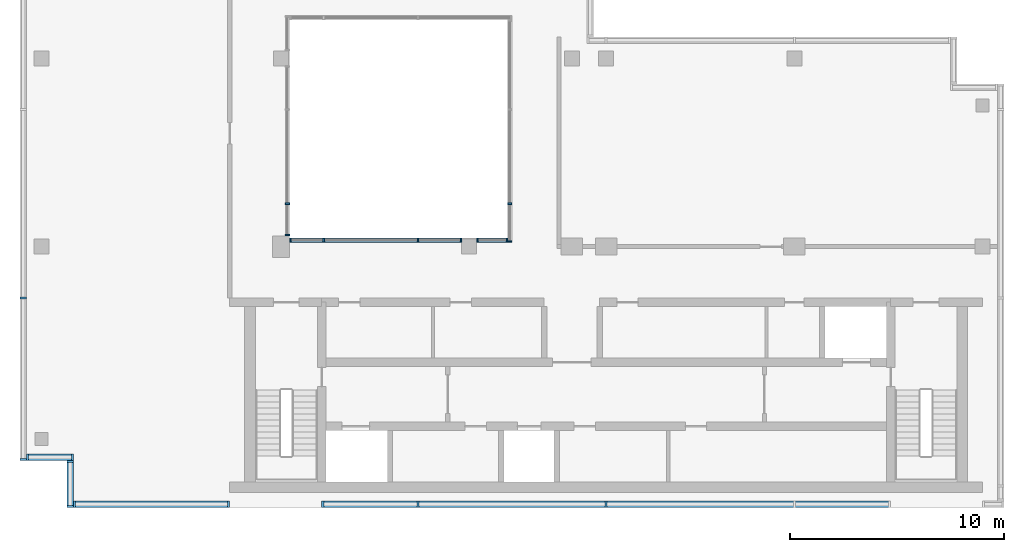
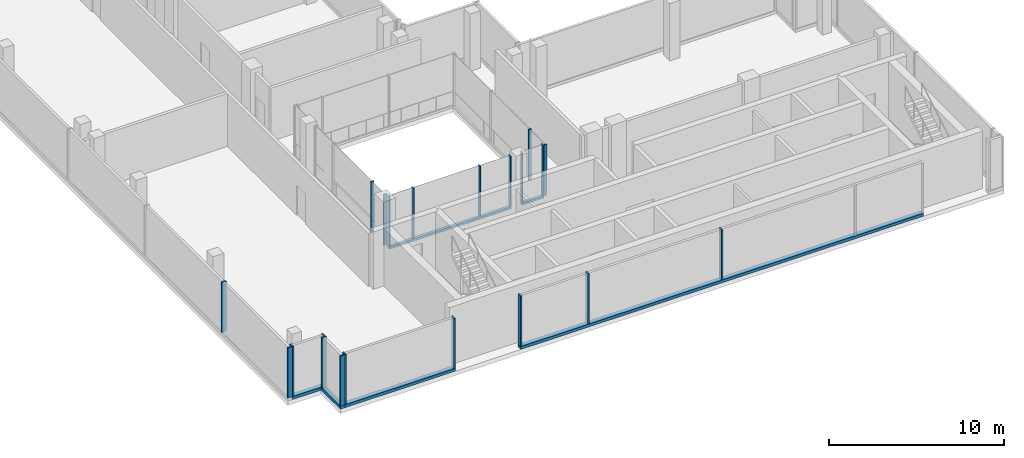
# One storey, part 2 of 10: 27 members, 9 elements without a shape of their own.
"""IFC4 building model written with IfcOpenShell, lengths in metres."""

from ifc_helpers import new_model, si_unit, direction, frame, origin, origin_2d, place, context, subcontext, project, spatial, rectangle, extrude, source, transform, mapped, material, material_profile, profile_set, type_object, element, aggregate, save


model = new_model("IFC4")

# Units and contexts
model_context = context("Model", 3, precision=1e-05, world=origin(), true_north=direction((0.0, 1.0)))
body_context = subcontext(model_context, "Body", "Model", "MODEL_VIEW")
ifc_project = project(units=[si_unit("LENGTHUNIT", "METRE"), si_unit("AREAUNIT", "SQUARE_METRE"), si_unit("VOLUMEUNIT", "CUBIC_METRE"), si_unit("PLANEANGLEUNIT", "RADIAN"), si_unit("MASSUNIT", "GRAM", prefix="KILO")], contexts=[model_context])

# Site, building, storey
site_placement = place(None, origin())
site = spatial("IfcSite", under=ifc_project, at=site_placement, CompositionType="ELEMENT")
building_placement = place(site_placement, origin())
building = spatial("IfcBuilding", under=site, at=building_placement, Name="Kemantara Hotel Tower", CompositionType="ELEMENT")
storey_placement = place(building_placement, frame((0.0, 0.0, 314.199951171875)))
storey = spatial("IfcBuildingStorey", under=building, at=storey_placement, Name="L79", CompositionType="ELEMENT", Elevation=314.199951171875)

# Curtain wall, member
ifc_material_1 = material(Name="Clear low-iron laminated glass 36 mm", Category="glass")
curtain_wall_type_1 = type_object("IfcCurtainWallType", Name="ATRIUM GLAZING WALL", PredefinedType="USERDEFINED", material=ifc_material_1)
curtain_wall_1_placement = place(storey_placement, origin())
curtain_wall_1 = element("IfcCurtainWall", 1, at=curtain_wall_1_placement, inside=storey, type_object=curtain_wall_type_1, Name="CW5 L79 ATR-R2-1", ObjectType="ATRIUM GLAZING WALL", PredefinedType="USERDEFINED")
ifc_material_2 = material(Name="Aluminium 6063-T6 bronze anodised", Category="aluminium")
ifc_material_profile_1 = material_profile(ifc_material_2, rectangle(XDim=0.199951171875, YDim=0.14990234375, at=origin_2d()), Name="ATRIUM GLAZING WALL TRANSOM")
ifc_profile_set_1 = profile_set([ifc_material_profile_1], Name="Aluminium 6063-T6 bronze anodised")
member_type_1 = type_object("IfcMemberType", Name="ATRIUM GLAZING WALL TRANSOM", PredefinedType="USERDEFINED", material=ifc_profile_set_1)
member_1_placement = place(storey_placement, frame((22.800048828125, 12.5, 0.074951171875), z_axis=(-1.0, 0.0, 0.0), x_axis=(0.0, -1.0, 0.0)))
member_1 = element("IfcMember", 2, at=member_1_placement, type_object=member_type_1, Name="CW5 sill transom ATR-R2-1", ObjectType="TRANSOM", PredefinedType="USERDEFINED", context=body_context, shape_type="SweptSolid", body=[
    extrude(rectangle(XDim=0.199951171875, YDim=0.14990234375, at=origin_2d()), origin(), (0.0, 0.0, 1.0), 1.449951171875),
])

curtain_wall_2_placement = place(storey_placement, origin())
curtain_wall_2 = element("IfcCurtainWall", 3, at=curtain_wall_2_placement, inside=storey, type_object=curtain_wall_type_1, Name="CW5 L79 ATR-R2-2", ObjectType="ATRIUM GLAZING WALL", PredefinedType="USERDEFINED")
member_2_placement = place(storey_placement, frame((20.64990234375, 12.5, 0.074951171875), z_axis=(-1.0, 0.0, 0.0), x_axis=(0.0, -1.0, 0.0)))
member_2 = element("IfcMember", 4, at=member_2_placement, type_object=member_type_1, Name="CW5 sill transom ATR-R2-2", ObjectType="TRANSOM", PredefinedType="USERDEFINED", context=body_context, shape_type="SweptSolid", body=[
    extrude(rectangle(XDim=0.199951171875, YDim=0.14990234375, at=origin_2d()), origin(), (0.0, 0.0, 1.0), 8.0498046875),
])

curtain_wall_type_2 = type_object("IfcCurtainWallType", Name="CROWN LOUVRE SCREEN WALL", PredefinedType="USERDEFINED", material=ifc_material_2)
curtain_wall_3_placement = place(storey_placement, origin())
curtain_wall_3 = element("IfcCurtainWall", 5, at=curtain_wall_3_placement, inside=storey, type_object=curtain_wall_type_2, Name="CW7 L79 CRN-R08-1", ObjectType="CROWN LOUVRE SCREEN WALL", PredefinedType="USERDEFINED")
ifc_material_profile_2 = material_profile(ifc_material_2, rectangle(XDim=0.300048828125, YDim=0.199951171875, at=origin_2d()), Name="CROWN LOUVRE SCREEN WALL TRANSOM")
ifc_profile_set_2 = profile_set([ifc_material_profile_2], Name="Aluminium 6063-T6 bronze anodised")
member_type_2 = type_object("IfcMemberType", Name="CROWN LOUVRE SCREEN WALL TRANSOM", PredefinedType="USERDEFINED", material=ifc_profile_set_2)
member_3_placement = place(storey_placement, frame((2.5, 0.14990234375, 0.10009765625), z_axis=(1.0, 0.0, 0.0), x_axis=(0.0, 1.0, 0.0)))
member_3 = element("IfcMember", 6, at=member_3_placement, type_object=member_type_2, Name="CW7 sill transom CRN-R08-1", ObjectType="TRANSOM", PredefinedType="USERDEFINED", context=body_context, shape_type="SweptSolid", body=[
    extrude(rectangle(XDim=0.300048828125, YDim=0.199951171875, at=origin_2d()), origin(), (0.0, 0.0, 1.0), 7.300048828125),
])

curtain_wall_4_placement = place(storey_placement, origin())
curtain_wall_4 = element("IfcCurtainWall", 7, at=curtain_wall_4_placement, inside=storey, type_object=curtain_wall_type_2, Name="CW7 L79 CRN-R08-2", ObjectType="CROWN LOUVRE SCREEN WALL", PredefinedType="USERDEFINED")
member_4_placement = place(storey_placement, frame((14.10009765625, 0.14990234375, 0.10009765625), z_axis=(1.0, 0.0, 0.0), x_axis=(0.0, 1.0, 0.0)))
member_4 = element("IfcMember", 8, at=member_4_placement, type_object=member_type_2, Name="CW7 sill transom CRN-R08-2", ObjectType="TRANSOM", PredefinedType="USERDEFINED", context=body_context, shape_type="SweptSolid", body=[
    extrude(rectangle(XDim=0.300048828125, YDim=0.199951171875, at=origin_2d()), origin(), (0.0, 0.0, 1.0), 26.599853515625),
])

curtain_wall_5_placement = place(storey_placement, origin())
curtain_wall_5 = element("IfcCurtainWall", 9, at=curtain_wall_5_placement, inside=storey, type_object=curtain_wall_type_2, Name="CW7 L79 CRN-R06-1", ObjectType="CROWN LOUVRE SCREEN WALL", PredefinedType="USERDEFINED")
member_5_placement = place(storey_placement, frame((0.300048828125, 2.35009765625, 0.10009765625), z_axis=(1.0, 0.0, 0.0), x_axis=(0.0, 1.0, 0.0)))
member_5 = element("IfcMember", 10, at=member_5_placement, type_object=member_type_2, Name="CW7 sill transom CRN-R06-1", ObjectType="TRANSOM", PredefinedType="USERDEFINED", context=body_context, shape_type="SweptSolid", body=[
    extrude(rectangle(XDim=0.300048828125, YDim=0.199951171875, at=origin_2d()), origin(), (0.0, 0.0, 1.0), 2.199951171875),
])

curtain_wall_6_placement = place(storey_placement, origin())
curtain_wall_6 = element("IfcCurtainWall", 11, at=curtain_wall_6_placement, inside=storey, type_object=curtain_wall_type_2, Name="CW7 L79 CRN-R07-1", ObjectType="CROWN LOUVRE SCREEN WALL", PredefinedType="USERDEFINED")
member_6_placement = place(storey_placement, frame((2.35009765625, 2.199951171875, 0.10009765625), z_axis=(0.0, -1.0, 0.0), x_axis=(1.0, 0.0, 0.0)))
member_6 = element("IfcMember", 12, at=member_6_placement, type_object=member_type_2, Name="CW7 sill transom CRN-R07-1", ObjectType="TRANSOM", PredefinedType="USERDEFINED", context=body_context, shape_type="SweptSolid", body=[
    extrude(rectangle(XDim=0.300048828125, YDim=0.199951171875, at=origin_2d()), origin(), (0.0, 0.0, 1.0), 2.199951171875),
])

# Curtain wall, members
curtain_wall_7_placement = place(storey_placement, origin())
curtain_wall_7 = element("IfcCurtainWall", 13, at=curtain_wall_7_placement, inside=storey, type_object=curtain_wall_type_2, Name="CW7 L79 CRN-R05-1", ObjectType="CROWN LOUVRE SCREEN WALL", PredefinedType="USERDEFINED")
ifc_material_profile_3 = material_profile(ifc_material_2, rectangle(XDim=0.300048828125, YDim=0.10009765625, at=origin_2d()), Name="CROWN LOUVRE SCREEN WALL MULLION")
ifc_profile_set_3 = profile_set([ifc_material_profile_3], Name="Aluminium 6063-T6 bronze anodised")
member_type_3 = type_object("IfcMemberType", Name="CROWN LOUVRE SCREEN WALL MULLION", PredefinedType="MULLION", material=ifc_profile_set_3)
shared_shape_1 = source(origin(), body_context, "Body", "SweptSolid", [
    extrude(rectangle(XDim=0.300048828125, YDim=0.10009765625, at=origin_2d()), origin(), (0.0, 0.0, 1.0), 3.5),
])
member_7_placement = place(storey_placement, frame((0.14990234375, 9.800048828125, 0.199951171875), z_axis=(0.0, 0.0, 1.0), x_axis=(1.0, 0.0, 0.0)))
member_7 = element("IfcMember", 14, at=member_7_placement, type_object=member_type_3, Name="CW7 mullion CRN-R05-1.7", PredefinedType="MULLION", context=body_context, shape_type="MappedRepresentation", body=[
    mapped(shared_shape_1, transform((0.0, 0.0, 0.0))),
])
member_8_placement = place(storey_placement, frame((0.14990234375, 2.25, 0.199951171875), z_axis=(0.0, 0.0, 1.0), x_axis=(1.0, 0.0, 0.0)))
member_8 = element("IfcMember", 15, at=member_8_placement, type_object=member_type_3, Name="CW7 mullion CRN-R05-1.8", PredefinedType="MULLION", context=body_context, shape_type="MappedRepresentation", body=[
    mapped(shared_shape_1, transform((0.0, 0.0, 0.0))),
])
aggregate(curtain_wall_7, [member_7, member_8])

# Member
member_9_placement = place(storey_placement, frame((2.550048828125, 0.14990234375, 0.199951171875), z_axis=(0.0, 0.0, 1.0), x_axis=(0.0, 1.0, 0.0)))
member_9 = element("IfcMember", 16, at=member_9_placement, type_object=member_type_3, Name="CW7 mullion CRN-R08-1.1", PredefinedType="MULLION", context=body_context, shape_type="MappedRepresentation", body=[
    mapped(shared_shape_1, transform((0.0, 0.0, 0.0))),
])

member_10_placement = place(storey_placement, frame((9.75, 0.14990234375, 0.199951171875), z_axis=(0.0, 0.0, 1.0), x_axis=(0.0, 1.0, 0.0)))
member_10 = element("IfcMember", 17, at=member_10_placement, type_object=member_type_3, Name="CW7 mullion CRN-R08-1.2", PredefinedType="MULLION", context=body_context, shape_type="MappedRepresentation", body=[
    mapped(shared_shape_1, transform((0.0, 0.0, 0.0))),
])

aggregate(curtain_wall_3, [member_3, member_9, member_10])

member_11_placement = place(storey_placement, frame((14.14990234375, 0.14990234375, 0.199951171875), z_axis=(0.0, 0.0, 1.0), x_axis=(0.0, 1.0, 0.0)))
member_11 = element("IfcMember", 18, at=member_11_placement, type_object=member_type_3, Name="CW7 mullion CRN-R08-2.1", PredefinedType="MULLION", context=body_context, shape_type="MappedRepresentation", body=[
    mapped(shared_shape_1, transform((0.0, 0.0, 0.0))),
])

member_12_placement = place(storey_placement, frame((18.60009765625, 0.14990234375, 0.199951171875), z_axis=(0.0, 0.0, 1.0), x_axis=(0.0, 1.0, 0.0)))
member_12 = element("IfcMember", 19, at=member_12_placement, type_object=member_type_3, Name="CW7 mullion CRN-R08-2.2", PredefinedType="MULLION", context=body_context, shape_type="MappedRepresentation", body=[
    mapped(shared_shape_1, transform((0.0, 0.0, 0.0))),
])

member_13_placement = place(storey_placement, frame((27.39990234375, 0.14990234375, 0.199951171875), z_axis=(0.0, 0.0, 1.0), x_axis=(0.0, 1.0, 0.0)))
member_13 = element("IfcMember", 20, at=member_13_placement, type_object=member_type_3, Name="CW7 mullion CRN-R08-2.3", PredefinedType="MULLION", context=body_context, shape_type="MappedRepresentation", body=[
    mapped(shared_shape_1, transform((0.0, 0.0, 0.0))),
])

aggregate(curtain_wall_4, [member_4, member_11, member_12, member_13])

member_14_placement = place(storey_placement, frame((0.35009765625, 2.35009765625, 0.199951171875), z_axis=(0.0, 0.0, 1.0), x_axis=(0.0, 1.0, 0.0)))
member_14 = element("IfcMember", 21, at=member_14_placement, type_object=member_type_3, Name="CW7 mullion CRN-R06-1.1", PredefinedType="MULLION", context=body_context, shape_type="MappedRepresentation", body=[
    mapped(shared_shape_1, transform((0.0, 0.0, 0.0))),
])

member_15_placement = place(storey_placement, frame((2.449951171875, 2.35009765625, 0.199951171875), z_axis=(0.0, 0.0, 1.0), x_axis=(0.0, 1.0, 0.0)))
member_15 = element("IfcMember", 22, at=member_15_placement, type_object=member_type_3, Name="CW7 mullion CRN-R06-1.2", PredefinedType="MULLION", context=body_context, shape_type="MappedRepresentation", body=[
    mapped(shared_shape_1, transform((0.0, 0.0, 0.0))),
])

aggregate(curtain_wall_5, [member_5, member_14, member_15])

member_16_placement = place(storey_placement, frame((2.35009765625, 2.14990234375, 0.199951171875), z_axis=(0.0, 0.0, 1.0), x_axis=(1.0, 0.0, 0.0)))
member_16 = element("IfcMember", 23, at=member_16_placement, type_object=member_type_3, Name="CW7 mullion CRN-R07-1.1", PredefinedType="MULLION", context=body_context, shape_type="MappedRepresentation", body=[
    mapped(shared_shape_1, transform((0.0, 0.0, 0.0))),
])

member_17_placement = place(storey_placement, frame((2.35009765625, 0.050048828125, 0.199951171875), z_axis=(0.0, 0.0, 1.0), x_axis=(1.0, 0.0, 0.0)))
member_17 = element("IfcMember", 24, at=member_17_placement, type_object=member_type_3, Name="CW7 mullion CRN-R07-1.2", PredefinedType="MULLION", context=body_context, shape_type="MappedRepresentation", body=[
    mapped(shared_shape_1, transform((0.0, 0.0, 0.0))),
])

aggregate(curtain_wall_6, [member_6, member_16, member_17])

# Curtain wall, members
curtain_wall_8_placement = place(storey_placement, origin())
curtain_wall_8 = element("IfcCurtainWall", 25, at=curtain_wall_8_placement, inside=storey, type_object=curtain_wall_type_1, Name="CW5 L79 ATR-R1-1", ObjectType="ATRIUM GLAZING WALL", PredefinedType="USERDEFINED")
ifc_material_profile_4 = material_profile(ifc_material_2, rectangle(XDim=0.199951171875, YDim=0.074951171875, at=origin_2d()), Name="ATRIUM GLAZING WALL MULLION")
ifc_profile_set_4 = profile_set([ifc_material_profile_4], Name="Aluminium 6063-T6 bronze anodised")
member_type_4 = type_object("IfcMemberType", Name="ATRIUM GLAZING WALL MULLION", PredefinedType="MULLION", material=ifc_profile_set_4)
shared_shape_2 = source(origin(), body_context, "Body", "SweptSolid", [
    extrude(rectangle(XDim=0.199951171875, YDim=0.074951171875, at=origin_2d()), origin(), (0.0, 0.0, 1.0), 3.5498046875),
])
member_18_placement = place(storey_placement, frame((22.89990234375, 14.199951171875, 0.150146484375), z_axis=(0.0, 0.0, 1.0), x_axis=(1.0, 0.0, 0.0)))
member_18 = element("IfcMember", 26, at=member_18_placement, type_object=member_type_4, Name="CW5 mullion ATR-R1-1.3", PredefinedType="MULLION", context=body_context, shape_type="MappedRepresentation", body=[
    mapped(shared_shape_2, transform((0.0, 0.0, 0.0))),
])
member_19_placement = place(storey_placement, frame((22.89990234375, 12.4375, 0.150146484375), z_axis=(0.0, 0.0, 1.0), x_axis=(1.0, 0.0, 0.0)))
member_19 = element("IfcMember", 27, at=member_19_placement, type_object=member_type_4, Name="CW5 mullion ATR-R1-1.4", PredefinedType="MULLION", context=body_context, shape_type="MappedRepresentation", body=[
    mapped(shared_shape_2, transform((0.0, 0.0, 0.0))),
])
aggregate(curtain_wall_8, [member_18, member_19])

# Member
member_20_placement = place(storey_placement, frame((22.762451171875, 12.5, 0.150146484375), z_axis=(0.0, 0.0, 1.0), x_axis=(0.0, -1.0, 0.0)))
member_20 = element("IfcMember", 28, at=member_20_placement, type_object=member_type_4, Name="CW5 mullion ATR-R2-1.1", PredefinedType="MULLION", context=body_context, shape_type="MappedRepresentation", body=[
    mapped(shared_shape_2, transform((0.0, 0.0, 0.0))),
])

member_21_placement = place(storey_placement, frame((21.387451171875, 12.5, 0.150146484375), z_axis=(0.0, 0.0, 1.0), x_axis=(0.0, -1.0, 0.0)))
member_21 = element("IfcMember", 29, at=member_21_placement, type_object=member_type_4, Name="CW5 mullion ATR-R2-1.2", PredefinedType="MULLION", context=body_context, shape_type="MappedRepresentation", body=[
    mapped(shared_shape_2, transform((0.0, 0.0, 0.0))),
])

aggregate(curtain_wall_1, [member_1, member_20, member_21])

member_22_placement = place(storey_placement, frame((20.612548828125, 12.5, 0.150146484375), z_axis=(0.0, 0.0, 1.0), x_axis=(0.0, -1.0, 0.0)))
member_22 = element("IfcMember", 30, at=member_22_placement, type_object=member_type_4, Name="CW5 mullion ATR-R2-2.1", PredefinedType="MULLION", context=body_context, shape_type="MappedRepresentation", body=[
    mapped(shared_shape_2, transform((0.0, 0.0, 0.0))),
])

member_23_placement = place(storey_placement, frame((18.60009765625, 12.5, 0.150146484375), z_axis=(0.0, 0.0, 1.0), x_axis=(0.0, -1.0, 0.0)))
member_23 = element("IfcMember", 31, at=member_23_placement, type_object=member_type_4, Name="CW5 mullion ATR-R2-2.2", PredefinedType="MULLION", context=body_context, shape_type="MappedRepresentation", body=[
    mapped(shared_shape_2, transform((0.0, 0.0, 0.0))),
])

member_24_placement = place(storey_placement, frame((14.199951171875, 12.5, 0.150146484375), z_axis=(0.0, 0.0, 1.0), x_axis=(0.0, -1.0, 0.0)))
member_24 = element("IfcMember", 32, at=member_24_placement, type_object=member_type_4, Name="CW5 mullion ATR-R2-2.3", PredefinedType="MULLION", context=body_context, shape_type="MappedRepresentation", body=[
    mapped(shared_shape_2, transform((0.0, 0.0, 0.0))),
])

member_25_placement = place(storey_placement, frame((12.637451171875, 12.5, 0.150146484375), z_axis=(0.0, 0.0, 1.0), x_axis=(0.0, -1.0, 0.0)))
member_25 = element("IfcMember", 33, at=member_25_placement, type_object=member_type_4, Name="CW5 mullion ATR-R2-2.4", PredefinedType="MULLION", context=body_context, shape_type="MappedRepresentation", body=[
    mapped(shared_shape_2, transform((0.0, 0.0, 0.0))),
])

aggregate(curtain_wall_2, [member_2, member_22, member_23, member_24, member_25])

# Curtain wall, members
curtain_wall_9_placement = place(storey_placement, origin())
curtain_wall_9 = element("IfcCurtainWall", 34, at=curtain_wall_9_placement, inside=storey, type_object=curtain_wall_type_1, Name="CW5 L79 ATR-R3-1", ObjectType="ATRIUM GLAZING WALL", PredefinedType="USERDEFINED")
member_26_placement = place(storey_placement, frame((12.5, 12.737548828125, 0.150146484375), z_axis=(0.0, 0.0, 1.0), x_axis=(-1.0, 0.0, 0.0)))
member_26 = element("IfcMember", 35, at=member_26_placement, type_object=member_type_4, Name="CW5 mullion ATR-R3-1.1", PredefinedType="MULLION", context=body_context, shape_type="MappedRepresentation", body=[
    mapped(shared_shape_2, transform((0.0, 0.0, 0.0))),
])
member_27_placement = place(storey_placement, frame((12.5, 14.199951171875, 0.150146484375), z_axis=(0.0, 0.0, 1.0), x_axis=(-1.0, 0.0, 0.0)))
member_27 = element("IfcMember", 36, at=member_27_placement, type_object=member_type_4, Name="CW5 mullion ATR-R3-1.2", PredefinedType="MULLION", context=body_context, shape_type="MappedRepresentation", body=[
    mapped(shared_shape_2, transform((0.0, 0.0, 0.0))),
])
aggregate(curtain_wall_9, [member_26, member_27])

save(model, "model.ifc")
